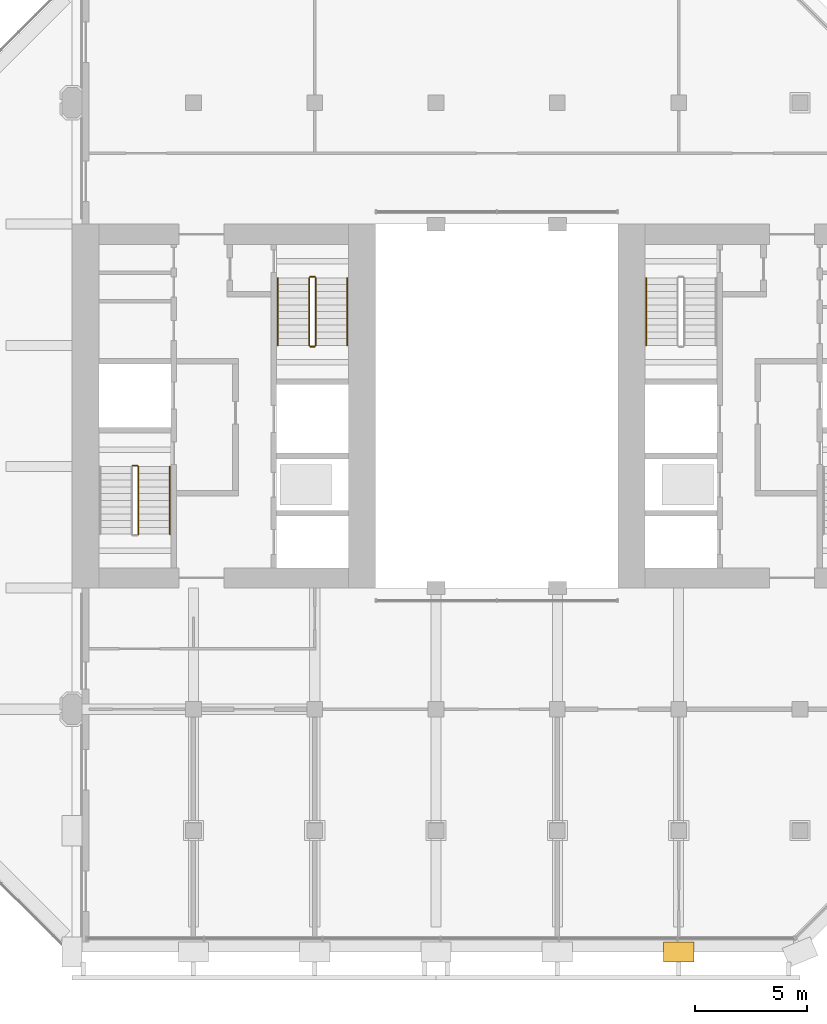
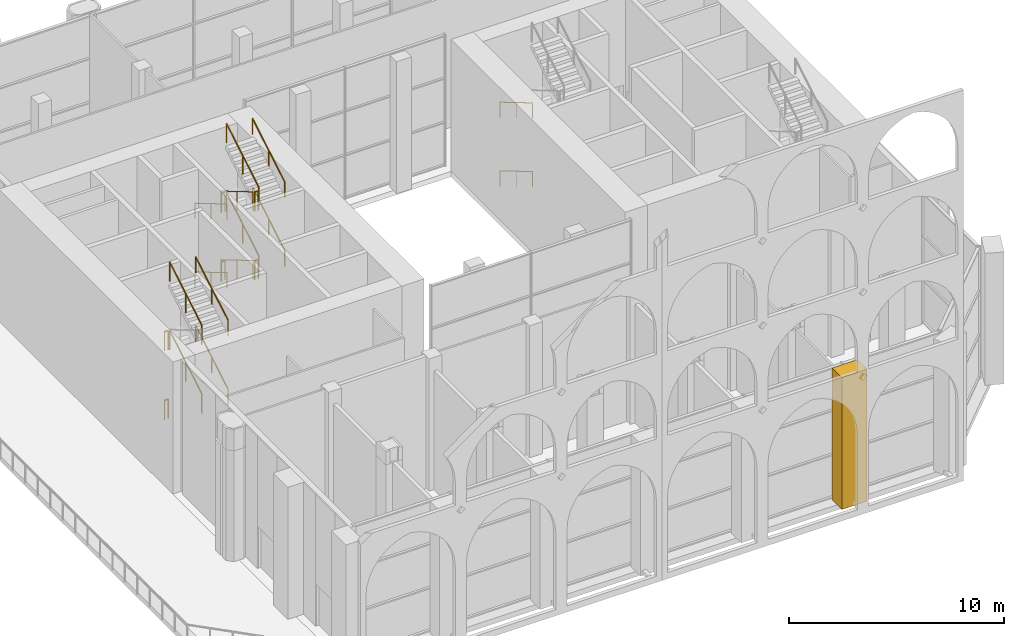
# One storey, part 16 of 20: 20 railings, 1 covering.
"""IFC4 building model written with IfcOpenShell, lengths in metres."""

from ifc_helpers import new_model, si_unit, direction, frame, frame_2d, origin, origin_2d, place, context, subcontext, project, spatial, rectangle, circle, extrude, material, type_object, element, save


model = new_model("IFC4")

# Units and contexts
model_context = context("Model", 3, precision=1e-05, world=origin(), true_north=direction((0.0, 1.0)))
body_context = subcontext(model_context, "Body", "Model", "MODEL_VIEW")
ifc_project = project(units=[si_unit("LENGTHUNIT", "METRE"), si_unit("AREAUNIT", "SQUARE_METRE"), si_unit("VOLUMEUNIT", "CUBIC_METRE"), si_unit("PLANEANGLEUNIT", "RADIAN"), si_unit("MASSUNIT", "GRAM", prefix="KILO")], contexts=[model_context])

# Site, building, storey
site_placement = place(None, origin())
site = spatial("IfcSite", under=ifc_project, at=site_placement, CompositionType="ELEMENT")
building_placement = place(site_placement, origin())
building = spatial("IfcBuilding", under=site, at=building_placement, Name="Tabaq Tower and Sports Hall", CompositionType="ELEMENT")
storey_placement = place(building_placement, frame((0.0, 0.0, 243.10009765625)))
storey = spatial("IfcBuildingStorey", under=building, at=storey_placement, Name="L60", CompositionType="ELEMENT", Elevation=243.10009765625)

# Covering
ifc_material_1 = material(Name="White precast concrete C60/75", Category="concrete")
covering_type = type_object("IfcCoveringType", Name="Pier cladding hung 1350x900", PredefinedType="CLADDING", material=ifc_material_1)
covering_placement = place(storey_placement, frame((31.72509765625, 0.0, 0.0), z_axis=(0.0, 0.0, 1.0), x_axis=(1.0, 0.0, 0.0)))
element("IfcCovering", 1, at=covering_placement, inside=storey, type_object=covering_type, Name="Hung pier cladding 6/0", PredefinedType="CLADDING", context=body_context, shape_type="SweptSolid", body=[
    extrude(rectangle(XDim=1.349853515625, YDim=0.89990234375, at=frame_2d((0.6748046875, 0.0))), origin(), (0.0, 0.0, 1.0), 7.5),
])

# Railings
ifc_material_2 = material(Name="Stainless steel", Category="steel")
railing_type_1 = type_object("IfcRailingType", Name="Stair guard", PredefinedType="GUARDRAIL", material=ifc_material_2)
railing_1_placement = place(storey_placement, frame((8.35009765625, 18.60009765625, 2.127197265625)))
element("IfcRailing", 2, at=railing_1_placement, inside=storey, type_object=railing_type_1, Name="L60 ST1 stair guard 3", PredefinedType="GUARDRAIL", context=body_context, shape_type="SweptSolid", body=[
    extrude(circle(Radius=0.02392578125, at=origin_2d()), frame((0.0, 0.0, 1.076171875), z_axis=(0.0, 0.86092931783, 0.508724591208), x_axis=(-1.0, 0.0, 0.0)), (0.0, 0.0, 1.0), 3.484619140625),
    extrude(circle(Radius=0.02099609375, at=origin_2d()), origin(), (0.0, 0.0, 1.0), 1.052001953125),
    extrude(circle(Radius=0.02099609375, at=origin_2d()), frame((0.0, 1.5, 0.88623046875)), (0.0, 0.0, 1.0), 1.052001953125),
    extrude(circle(Radius=0.02099609375, at=origin_2d()), frame((0.0, 3.0, 1.772705078125)), (0.0, 0.0, 1.0), 1.052001953125),
])
railing_2_placement = place(storey_placement, frame((8.10009765625, 21.64990234375, 3.89990234375)))
element("IfcRailing", 3, at=railing_2_placement, inside=storey, type_object=railing_type_1, Name="L60 ST1 stair guard 4", PredefinedType="GUARDRAIL", context=body_context, shape_type="SweptSolid", body=[
    extrude(circle(Radius=0.02392578125, at=origin_2d()), frame((0.0, 0.0, 1.076171875), z_axis=(1.0, 0.0, 0.0), x_axis=(0.0, 1.0, 0.0)), (0.0, 0.0, 1.0), 0.199951171875),
    extrude(circle(Radius=0.02099609375, at=origin_2d()), origin(), (0.0, 0.0, 1.0), 1.052001953125),
    extrude(circle(Radius=0.02099609375, at=origin_2d()), frame((0.199951171875, 0.0, 0.0)), (0.0, 0.0, 1.0), 1.052001953125),
])
railing_3_placement = place(storey_placement, frame((8.35009765625, 18.60009765625, 6.027099609375)))
element("IfcRailing", 4, at=railing_3_placement, inside=storey, type_object=railing_type_1, Name="L60 ST1 stair guard 7", PredefinedType="GUARDRAIL", context=body_context, shape_type="SweptSolid", body=[
    extrude(circle(Radius=0.02392578125, at=origin_2d()), frame((0.0, 0.0, 1.076171875), z_axis=(0.0, 0.86092931783, 0.508724591208), x_axis=(-1.0, 0.0, 0.0)), (0.0, 0.0, 1.0), 3.484619140625),
    extrude(circle(Radius=0.02099609375, at=origin_2d()), origin(), (0.0, 0.0, 1.0), 1.052001953125),
    extrude(circle(Radius=0.02099609375, at=origin_2d()), frame((0.0, 1.5, 0.88623046875)), (0.0, 0.0, 1.0), 1.052001953125),
    extrude(circle(Radius=0.02099609375, at=origin_2d()), frame((0.0, 3.0, 1.772705078125)), (0.0, 0.0, 1.0), 1.052001953125),
])
railing_4_placement = place(storey_placement, frame((8.10009765625, 21.64990234375, 0.0)))
element("IfcRailing", 5, at=railing_4_placement, inside=storey, type_object=railing_type_1, Name="L60 ST1 stair guard 8", PredefinedType="GUARDRAIL", context=body_context, shape_type="SweptSolid", body=[
    extrude(circle(Radius=0.02392578125, at=origin_2d()), frame((0.0, 0.0, 1.076171875), z_axis=(1.0, 0.0, 0.0), x_axis=(0.0, 1.0, 0.0)), (0.0, 0.0, 1.0), 0.199951171875),
    extrude(circle(Radius=0.02099609375, at=origin_2d()), origin(), (0.0, 0.0, 1.0), 1.052001953125),
    extrude(circle(Radius=0.02099609375, at=origin_2d()), frame((0.199951171875, 0.0, 0.0)), (0.0, 0.0, 1.0), 1.052001953125),
])
railing_5_placement = place(storey_placement, frame((15.949951171875, 30.0, 0.17724609375)))
element("IfcRailing", 6, at=railing_5_placement, inside=storey, type_object=railing_type_1, Name="L60 ST2 stair guard 1", PredefinedType="GUARDRAIL", context=body_context, shape_type="SweptSolid", body=[
    extrude(circle(Radius=0.02392578125, at=origin_2d()), frame((0.0, 0.0, 1.076171875), z_axis=(0.0, -0.86092931783, 0.508724591208), x_axis=(1.0, 0.0, 0.0)), (0.0, 0.0, 1.0), 3.484619140625),
    extrude(circle(Radius=0.02099609375, at=origin_2d()), origin(), (0.0, 0.0, 1.0), 1.052001953125),
    extrude(circle(Radius=0.02099609375, at=origin_2d()), frame((0.0, -1.5, 0.88623046875)), (0.0, 0.0, 1.0), 1.052001953125),
    extrude(circle(Radius=0.02099609375, at=origin_2d()), frame((0.0, -3.0, 1.772705078125)), (0.0, 0.0, 1.0), 1.052001953125),
])
railing_6_placement = place(storey_placement, frame((16.0, 26.949951171875, 1.949951171875)))
element("IfcRailing", 7, at=railing_6_placement, inside=storey, type_object=railing_type_1, Name="L60 ST2 stair guard 2", PredefinedType="GUARDRAIL", context=body_context, shape_type="SweptSolid", body=[
    extrude(circle(Radius=0.02392578125, at=origin_2d()), frame((0.0, 0.0, 1.076171875), z_axis=(1.0, 0.0, 0.0), x_axis=(0.0, 1.0, 0.0)), (0.0, 0.0, 1.0), 0.199951171875),
    extrude(circle(Radius=0.02099609375, at=origin_2d()), origin(), (0.0, 0.0, 1.0), 1.052001953125),
    extrude(circle(Radius=0.02099609375, at=origin_2d()), frame((0.199951171875, 0.0, 0.0)), (0.0, 0.0, 1.0), 1.052001953125),
])
railing_7_placement = place(storey_placement, frame((16.25, 27.0, 2.127197265625)))
element("IfcRailing", 8, at=railing_7_placement, inside=storey, type_object=railing_type_1, Name="L60 ST2 stair guard 3", PredefinedType="GUARDRAIL", context=body_context, shape_type="SweptSolid", body=[
    extrude(circle(Radius=0.02392578125, at=origin_2d()), frame((0.0, 0.0, 1.076171875), z_axis=(0.0, 0.86092931783, 0.508724591208), x_axis=(-1.0, 0.0, 0.0)), (0.0, 0.0, 1.0), 3.484619140625),
    extrude(circle(Radius=0.02099609375, at=origin_2d()), origin(), (0.0, 0.0, 1.0), 1.052001953125),
    extrude(circle(Radius=0.02099609375, at=origin_2d()), frame((0.0, 1.5, 0.88623046875)), (0.0, 0.0, 1.0), 1.052001953125),
    extrude(circle(Radius=0.02099609375, at=origin_2d()), frame((0.0, 3.0, 1.772705078125)), (0.0, 0.0, 1.0), 1.052001953125),
])
railing_8_placement = place(storey_placement, frame((16.0, 30.050048828125, 3.89990234375)))
element("IfcRailing", 9, at=railing_8_placement, inside=storey, type_object=railing_type_1, Name="L60 ST2 stair guard 4", PredefinedType="GUARDRAIL", context=body_context, shape_type="SweptSolid", body=[
    extrude(circle(Radius=0.02392578125, at=origin_2d()), frame((0.0, 0.0, 1.076171875), z_axis=(1.0, 0.0, 0.0), x_axis=(0.0, 1.0, 0.0)), (0.0, 0.0, 1.0), 0.199951171875),
    extrude(circle(Radius=0.02099609375, at=origin_2d()), origin(), (0.0, 0.0, 1.0), 1.052001953125),
    extrude(circle(Radius=0.02099609375, at=origin_2d()), frame((0.199951171875, 0.0, 0.0)), (0.0, 0.0, 1.0), 1.052001953125),
])
railing_9_placement = place(storey_placement, frame((15.949951171875, 30.0, 4.0771484375)))
element("IfcRailing", 10, at=railing_9_placement, inside=storey, type_object=railing_type_1, Name="L60 ST2 stair guard 5", PredefinedType="GUARDRAIL", context=body_context, shape_type="SweptSolid", body=[
    extrude(circle(Radius=0.02392578125, at=origin_2d()), frame((0.0, 0.0, 1.076171875), z_axis=(0.0, -0.86092931783, 0.508724591208), x_axis=(1.0, 0.0, 0.0)), (0.0, 0.0, 1.0), 3.484619140625),
    extrude(circle(Radius=0.02099609375, at=origin_2d()), origin(), (0.0, 0.0, 1.0), 1.052001953125),
    extrude(circle(Radius=0.02099609375, at=origin_2d()), frame((0.0, -1.5, 0.88623046875)), (0.0, 0.0, 1.0), 1.052001953125),
    extrude(circle(Radius=0.02099609375, at=origin_2d()), frame((0.0, -3.0, 1.772705078125)), (0.0, 0.0, 1.0), 1.052001953125),
])
railing_10_placement = place(storey_placement, frame((16.0, 26.949951171875, 5.849853515625)))
element("IfcRailing", 11, at=railing_10_placement, inside=storey, type_object=railing_type_1, Name="L60 ST2 stair guard 6", PredefinedType="GUARDRAIL", context=body_context, shape_type="SweptSolid", body=[
    extrude(circle(Radius=0.02392578125, at=origin_2d()), frame((0.0, 0.0, 1.076171875), z_axis=(1.0, 0.0, 0.0), x_axis=(0.0, 1.0, 0.0)), (0.0, 0.0, 1.0), 0.199951171875),
    extrude(circle(Radius=0.02099609375, at=origin_2d()), origin(), (0.0, 0.0, 1.0), 1.052001953125),
    extrude(circle(Radius=0.02099609375, at=origin_2d()), frame((0.199951171875, 0.0, 0.0)), (0.0, 0.0, 1.0), 1.052001953125),
])
railing_11_placement = place(storey_placement, frame((16.25, 27.0, 6.027099609375)))
element("IfcRailing", 12, at=railing_11_placement, inside=storey, type_object=railing_type_1, Name="L60 ST2 stair guard 7", PredefinedType="GUARDRAIL", context=body_context, shape_type="SweptSolid", body=[
    extrude(circle(Radius=0.02392578125, at=origin_2d()), frame((0.0, 0.0, 1.076171875), z_axis=(0.0, 0.86092931783, 0.508724591208), x_axis=(-1.0, 0.0, 0.0)), (0.0, 0.0, 1.0), 3.484619140625),
    extrude(circle(Radius=0.02099609375, at=origin_2d()), origin(), (0.0, 0.0, 1.0), 1.052001953125),
    extrude(circle(Radius=0.02099609375, at=origin_2d()), frame((0.0, 1.5, 0.88623046875)), (0.0, 0.0, 1.0), 1.052001953125),
    extrude(circle(Radius=0.02099609375, at=origin_2d()), frame((0.0, 3.0, 1.772705078125)), (0.0, 0.0, 1.0), 1.052001953125),
])
railing_12_placement = place(storey_placement, frame((16.0, 30.050048828125, 0.0)))
element("IfcRailing", 13, at=railing_12_placement, inside=storey, type_object=railing_type_1, Name="L60 ST2 stair guard 8", PredefinedType="GUARDRAIL", context=body_context, shape_type="SweptSolid", body=[
    extrude(circle(Radius=0.02392578125, at=origin_2d()), frame((0.0, 0.0, 1.076171875), z_axis=(1.0, 0.0, 0.0), x_axis=(0.0, 1.0, 0.0)), (0.0, 0.0, 1.0), 0.199951171875),
    extrude(circle(Radius=0.02099609375, at=origin_2d()), origin(), (0.0, 0.0, 1.0), 1.052001953125),
    extrude(circle(Radius=0.02099609375, at=origin_2d()), frame((0.199951171875, 0.0, 0.0)), (0.0, 0.0, 1.0), 1.052001953125),
])
ifc_material_3 = material(Name="Stainless steel", Category="steel")
railing_type_2 = type_object("IfcRailingType", Name="Stair handrail", PredefinedType="HANDRAIL", material=ifc_material_3)
for number, where, name in (
    (14, (9.75, 18.60009765625, 2.127197265625), "L60 ST1 stair handrail 2"),
    (15, (9.75, 18.60009765625, 6.027099609375), "L60 ST1 stair handrail 4"),
):
    element("IfcRailing", number, at=place(storey_placement, frame(where)), inside=storey, type_object=railing_type_2, Name=name, PredefinedType="HANDRAIL", context=body_context, shape_type="SweptSolid", body=[
        extrude(circle(Radius=0.02392578125, at=origin_2d()), frame((0.0, 0.0, 0.8759765625), z_axis=(0.0, 0.86092931783, 0.508724591208), x_axis=(-1.0, 0.0, 0.0)), (0.0, 0.0, 1.0), 3.484619140625),
        extrude(circle(Radius=0.02099609375, at=origin_2d()), origin(), (0.0, 0.0, 1.0), 0.851806640625),
        extrude(circle(Radius=0.02099609375, at=origin_2d()), frame((0.0, 1.5, 0.88623046875)), (0.0, 0.0, 1.0), 0.851806640625),
        extrude(circle(Radius=0.02099609375, at=origin_2d()), frame((0.0, 3.0, 1.772705078125)), (0.0, 0.0, 1.0), 0.851806640625),
    ])
railing_13_placement = place(storey_placement, frame((14.550048828125, 30.0, 0.17724609375)))
element("IfcRailing", 16, at=railing_13_placement, inside=storey, type_object=railing_type_2, Name="L60 ST2 stair handrail 1", PredefinedType="HANDRAIL", context=body_context, shape_type="SweptSolid", body=[
    extrude(circle(Radius=0.02392578125, at=origin_2d()), frame((0.0, 0.0, 0.8759765625), z_axis=(0.0, -0.86092931783, 0.508724591208), x_axis=(1.0, 0.0, 0.0)), (0.0, 0.0, 1.0), 3.484619140625),
    extrude(circle(Radius=0.02099609375, at=origin_2d()), origin(), (0.0, 0.0, 1.0), 0.851806640625),
    extrude(circle(Radius=0.02099609375, at=origin_2d()), frame((0.0, -1.5, 0.88623046875)), (0.0, 0.0, 1.0), 0.851806640625),
    extrude(circle(Radius=0.02099609375, at=origin_2d()), frame((0.0, -3.0, 1.772705078125)), (0.0, 0.0, 1.0), 0.851806640625),
])
railing_14_placement = place(storey_placement, frame((17.64990234375, 27.0, 2.127197265625)))
element("IfcRailing", 17, at=railing_14_placement, inside=storey, type_object=railing_type_2, Name="L60 ST2 stair handrail 2", PredefinedType="HANDRAIL", context=body_context, shape_type="SweptSolid", body=[
    extrude(circle(Radius=0.02392578125, at=origin_2d()), frame((0.0, 0.0, 0.8759765625), z_axis=(0.0, 0.86092931783, 0.508724591208), x_axis=(-1.0, 0.0, 0.0)), (0.0, 0.0, 1.0), 3.484619140625),
    extrude(circle(Radius=0.02099609375, at=origin_2d()), origin(), (0.0, 0.0, 1.0), 0.851806640625),
    extrude(circle(Radius=0.02099609375, at=origin_2d()), frame((0.0, 1.5, 0.88623046875)), (0.0, 0.0, 1.0), 0.851806640625),
    extrude(circle(Radius=0.02099609375, at=origin_2d()), frame((0.0, 3.0, 1.772705078125)), (0.0, 0.0, 1.0), 0.851806640625),
])
railing_15_placement = place(storey_placement, frame((14.550048828125, 30.0, 4.0771484375)))
element("IfcRailing", 18, at=railing_15_placement, inside=storey, type_object=railing_type_2, Name="L60 ST2 stair handrail 3", PredefinedType="HANDRAIL", context=body_context, shape_type="SweptSolid", body=[
    extrude(circle(Radius=0.02392578125, at=origin_2d()), frame((0.0, 0.0, 0.8759765625), z_axis=(0.0, -0.86092931783, 0.508724591208), x_axis=(1.0, 0.0, 0.0)), (0.0, 0.0, 1.0), 3.484619140625),
    extrude(circle(Radius=0.02099609375, at=origin_2d()), origin(), (0.0, 0.0, 1.0), 0.851806640625),
    extrude(circle(Radius=0.02099609375, at=origin_2d()), frame((0.0, -1.5, 0.88623046875)), (0.0, 0.0, 1.0), 0.851806640625),
    extrude(circle(Radius=0.02099609375, at=origin_2d()), frame((0.0, -3.0, 1.772705078125)), (0.0, 0.0, 1.0), 0.851806640625),
])
railing_16_placement = place(storey_placement, frame((17.64990234375, 27.0, 6.027099609375)))
element("IfcRailing", 19, at=railing_16_placement, inside=storey, type_object=railing_type_2, Name="L60 ST2 stair handrail 4", PredefinedType="HANDRAIL", context=body_context, shape_type="SweptSolid", body=[
    extrude(circle(Radius=0.02392578125, at=origin_2d()), frame((0.0, 0.0, 0.8759765625), z_axis=(0.0, 0.86092931783, 0.508724591208), x_axis=(-1.0, 0.0, 0.0)), (0.0, 0.0, 1.0), 3.484619140625),
    extrude(circle(Radius=0.02099609375, at=origin_2d()), origin(), (0.0, 0.0, 1.0), 0.851806640625),
    extrude(circle(Radius=0.02099609375, at=origin_2d()), frame((0.0, 1.5, 0.88623046875)), (0.0, 0.0, 1.0), 0.851806640625),
    extrude(circle(Radius=0.02099609375, at=origin_2d()), frame((0.0, 3.0, 1.772705078125)), (0.0, 0.0, 1.0), 0.851806640625),
])
for number, where, name in (
    (20, (30.949951171875, 30.0, 0.17724609375), "L60 ST4 stair handrail 1"),
    (21, (30.949951171875, 30.0, 4.0771484375), "L60 ST4 stair handrail 3"),
):
    element("IfcRailing", number, at=place(storey_placement, frame(where)), inside=storey, type_object=railing_type_2, Name=name, PredefinedType="HANDRAIL", context=body_context, shape_type="SweptSolid", body=[
        extrude(circle(Radius=0.02392578125, at=origin_2d()), frame((0.0, 0.0, 0.8759765625), z_axis=(0.0, -0.86092931783, 0.508724591208), x_axis=(1.0, 0.0, 0.0)), (0.0, 0.0, 1.0), 3.484619140625),
        extrude(circle(Radius=0.02099609375, at=origin_2d()), origin(), (0.0, 0.0, 1.0), 0.851806640625),
        extrude(circle(Radius=0.02099609375, at=origin_2d()), frame((0.0, -1.5, 0.88623046875)), (0.0, 0.0, 1.0), 0.851806640625),
        extrude(circle(Radius=0.02099609375, at=origin_2d()), frame((0.0, -3.0, 1.772705078125)), (0.0, 0.0, 1.0), 0.851806640625),
    ])

save(model, "model.ifc")
